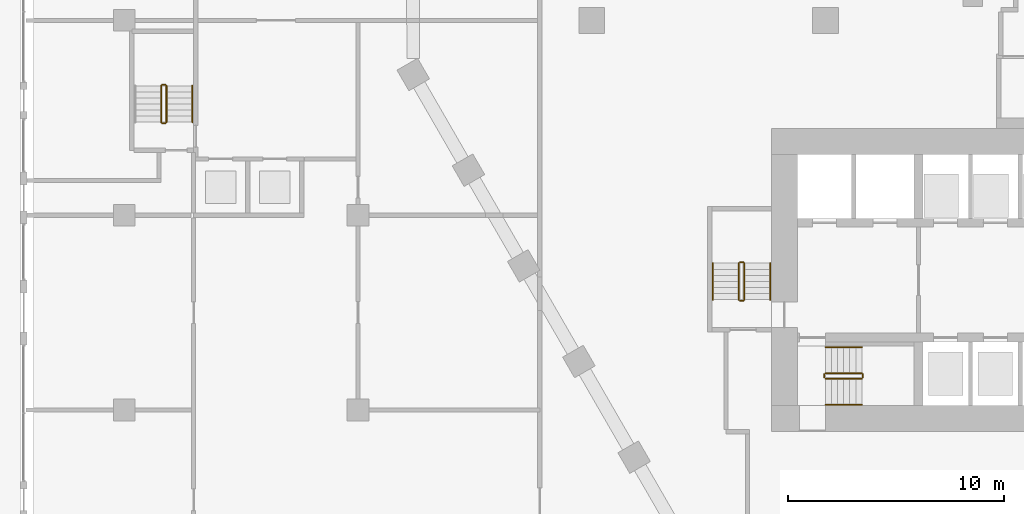
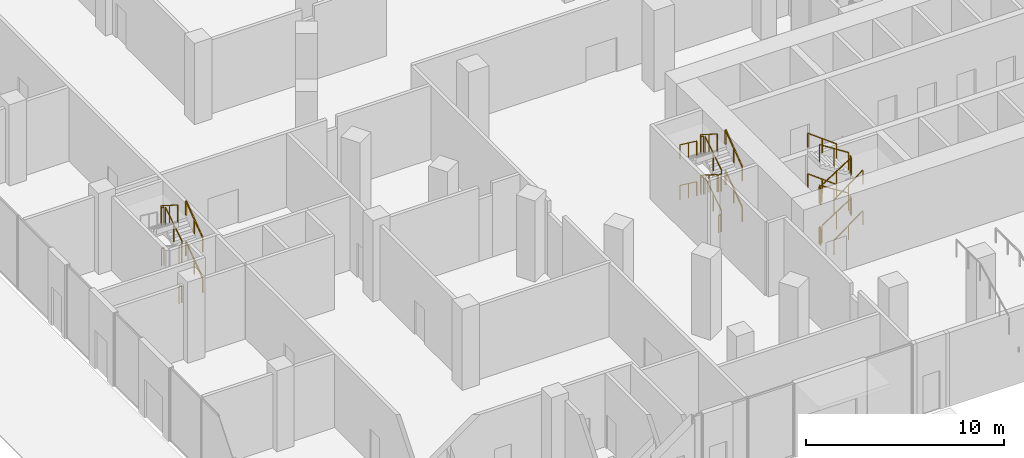
# One storey, part 50 of 57: 32 railings.
"""IFC4 building model written with IfcOpenShell, lengths in metres."""

from ifc_helpers import new_model, si_unit, direction, frame, origin, origin_2d, place, context, subcontext, project, spatial, rectangle, extrude, material, type_object, element, save


model = new_model("IFC4")

# Units and contexts
model_context = context("Model", 3, precision=1e-05, world=origin(), true_north=direction((0.0, 1.0)))
body_context = subcontext(model_context, "Body", "Model", "MODEL_VIEW")
ifc_project = project(units=[si_unit("LENGTHUNIT", "METRE"), si_unit("AREAUNIT", "SQUARE_METRE"), si_unit("VOLUMEUNIT", "CUBIC_METRE"), si_unit("PLANEANGLEUNIT", "RADIAN"), si_unit("MASSUNIT", "GRAM", prefix="KILO")], contexts=[model_context])

# Site, building, storey
site_placement = place(None, origin())
site = spatial("IfcSite", under=ifc_project, at=site_placement, CompositionType="ELEMENT")
building_placement = place(site_placement, origin())
building = spatial("IfcBuilding", under=site, at=building_placement, Name="Beryl Residences", CompositionType="ELEMENT")
storey_placement = place(building_placement, origin())
storey = spatial("IfcBuildingStorey", under=building, at=storey_placement, Name="L00", CompositionType="ELEMENT", Elevation=0.0)

# Railings
ifc_material_1 = material(Name="Stainless steel balustrade with glass infill", Category="steel")
railing_type_1 = type_object("IfcRailingType", Name="SG1 stair guard 1100 mm", PredefinedType="GUARDRAIL", material=ifc_material_1)
for number, where, name in (
    (1, (-41.300048828125, -2.969970703125, 1.25), "L00 PS-6 stair guard 2"),
    (2, (-41.300048828125, -4.75, 2.5), "L00 PS-6 stair guard 4"),
):
    element("IfcRailing", number, at=place(storey_placement, frame(where)), inside=storey, type_object=railing_type_1, Name=name, PredefinedType="GUARDRAIL", context=body_context, shape_type="SweptSolid", body=[
        extrude(rectangle(XDim=0.048095703125, YDim=0.048095703125, at=origin_2d()), frame((0.0, 0.0, 1.076171875), z_axis=(-1.0, 0.0, 0.0), x_axis=(0.0, -1.0, 0.0)), (0.0, 0.0, 1.0), 0.14990234375),
        extrude(rectangle(XDim=0.0419921875, YDim=0.0419921875, at=origin_2d()), origin(), (0.0, 0.0, 1.0), 1.052001953125),
        extrude(rectangle(XDim=0.0419921875, YDim=0.0419921875, at=origin_2d()), frame((-0.14990234375, 0.0, 0.0)), (0.0, 0.0, 1.0), 1.052001953125),
    ])
railing_1_placement = place(storey_placement, frame((-41.25, -4.699951171875, 2.678466796875)))
element("IfcRailing", 3, at=railing_1_placement, inside=storey, type_object=railing_type_1, Name="L00 PS-6 stair guard 5", PredefinedType="GUARDRAIL", context=body_context, shape_type="SweptSolid", body=[
    extrude(rectangle(XDim=0.048095703125, YDim=0.048095703125, at=origin_2d()), frame((0.0, 0.0, 1.076171875), z_axis=(0.0, 0.843095963019, 0.537763142231), x_axis=(-1.0, 0.0, 0.0)), (0.0, 0.0, 1.0), 1.99267578125),
    extrude(rectangle(XDim=0.0419921875, YDim=0.0419921875, at=origin_2d()), origin(), (0.0, 0.0, 1.0), 1.052001953125),
    extrude(rectangle(XDim=0.0419921875, YDim=0.0419921875, at=origin_2d()), frame((0.0, 0.83984375, 0.53564453125)), (0.0, 0.0, 1.0), 1.052001953125),
    extrude(rectangle(XDim=0.0419921875, YDim=0.0419921875, at=origin_2d()), frame((0.0, 1.679931640625, 1.071533203125)), (0.0, 0.0, 1.0), 1.052001953125),
])
railing_2_placement = place(storey_placement, frame((-41.300048828125, -2.969970703125, 3.75)))
element("IfcRailing", 4, at=railing_2_placement, inside=storey, type_object=railing_type_1, Name="L00 PS-6 stair guard 6", PredefinedType="GUARDRAIL", context=body_context, shape_type="SweptSolid", body=[
    extrude(rectangle(XDim=0.048095703125, YDim=0.048095703125, at=origin_2d()), frame((0.0, 0.0, 1.076171875), z_axis=(-1.0, 0.0, 0.0), x_axis=(0.0, -1.0, 0.0)), (0.0, 0.0, 1.0), 0.14990234375),
    extrude(rectangle(XDim=0.0419921875, YDim=0.0419921875, at=origin_2d()), origin(), (0.0, 0.0, 1.0), 1.052001953125),
    extrude(rectangle(XDim=0.0419921875, YDim=0.0419921875, at=origin_2d()), frame((-0.14990234375, 0.0, 0.0)), (0.0, 0.0, 1.0), 1.052001953125),
])
railing_3_placement = place(storey_placement, frame((-41.5, -3.02001953125, 3.928466796875)))
element("IfcRailing", 5, at=railing_3_placement, inside=storey, type_object=railing_type_1, Name="L00 PS-6 stair guard 7", PredefinedType="GUARDRAIL", context=body_context, shape_type="SweptSolid", body=[
    extrude(rectangle(XDim=0.048095703125, YDim=0.048095703125, at=origin_2d()), frame((0.0, 0.0, 1.076171875), z_axis=(0.0, -0.843095963019, 0.537763142231), x_axis=(1.0, 0.0, 0.0)), (0.0, 0.0, 1.0), 1.99267578125),
    extrude(rectangle(XDim=0.0419921875, YDim=0.0419921875, at=origin_2d()), origin(), (0.0, 0.0, 1.0), 1.052001953125),
    extrude(rectangle(XDim=0.0419921875, YDim=0.0419921875, at=origin_2d()), frame((0.0, -0.83984375, 0.53564453125)), (0.0, 0.0, 1.0), 1.052001953125),
    extrude(rectangle(XDim=0.0419921875, YDim=0.0419921875, at=origin_2d()), frame((0.0, -1.679931640625, 1.071533203125)), (0.0, 0.0, 1.0), 1.052001953125),
])
railing_4_placement = place(storey_placement, frame((-41.300048828125, -4.75, 0.0)))
element("IfcRailing", 6, at=railing_4_placement, inside=storey, type_object=railing_type_1, Name="L00 PS-6 stair guard 8", PredefinedType="GUARDRAIL", context=body_context, shape_type="SweptSolid", body=[
    extrude(rectangle(XDim=0.048095703125, YDim=0.048095703125, at=origin_2d()), frame((0.0, 0.0, 1.076171875), z_axis=(-1.0, 0.0, 0.0), x_axis=(0.0, -1.0, 0.0)), (0.0, 0.0, 1.0), 0.14990234375),
    extrude(rectangle(XDim=0.0419921875, YDim=0.0419921875, at=origin_2d()), origin(), (0.0, 0.0, 1.0), 1.052001953125),
    extrude(rectangle(XDim=0.0419921875, YDim=0.0419921875, at=origin_2d()), frame((-0.14990234375, 0.0, 0.0)), (0.0, 0.0, 1.0), 1.052001953125),
])
railing_5_placement = place(storey_placement, frame((-10.800048828125, -16.550048828125, 0.178466796875)))
element("IfcRailing", 7, at=railing_5_placement, inside=storey, type_object=railing_type_1, Name="L00 ST-1 stair guard 1", PredefinedType="GUARDRAIL", context=body_context, shape_type="SweptSolid", body=[
    extrude(rectangle(XDim=0.048095703125, YDim=0.048095703125, at=origin_2d()), frame((0.0, 0.0, 1.076171875), z_axis=(0.843095963019, 0.0, 0.537763142231), x_axis=(0.0, 1.0, 0.0)), (0.0, 0.0, 1.0), 1.99267578125),
    extrude(rectangle(XDim=0.0419921875, YDim=0.0419921875, at=origin_2d()), origin(), (0.0, 0.0, 1.0), 1.052001953125),
    extrude(rectangle(XDim=0.0419921875, YDim=0.0419921875, at=origin_2d()), frame((0.83984375, 0.0, 0.53564453125)), (0.0, 0.0, 1.0), 1.052001953125),
    extrude(rectangle(XDim=0.0419921875, YDim=0.0419921875, at=origin_2d()), frame((1.679931640625, 0.0, 1.071533203125)), (0.0, 0.0, 1.0), 1.052001953125),
])
railing_6_placement = place(storey_placement, frame((-9.070068359375, -16.5, 1.25)))
element("IfcRailing", 8, at=railing_6_placement, inside=storey, type_object=railing_type_1, Name="L00 ST-1 stair guard 2", PredefinedType="GUARDRAIL", context=body_context, shape_type="SweptSolid", body=[
    extrude(rectangle(XDim=0.048095703125, YDim=0.048095703125, at=origin_2d()), frame((0.0, 0.0, 1.076171875), z_axis=(0.0, 1.0, 0.0), x_axis=(-1.0, 0.0, 0.0)), (0.0, 0.0, 1.0), 0.14990234375),
    extrude(rectangle(XDim=0.0419921875, YDim=0.0419921875, at=origin_2d()), origin(), (0.0, 0.0, 1.0), 1.052001953125),
    extrude(rectangle(XDim=0.0419921875, YDim=0.0419921875, at=origin_2d()), frame((0.0, 0.14990234375, 0.0)), (0.0, 0.0, 1.0), 1.052001953125),
])
railing_7_placement = place(storey_placement, frame((-9.1201171875, -16.300048828125, 1.428466796875)))
element("IfcRailing", 9, at=railing_7_placement, inside=storey, type_object=railing_type_1, Name="L00 ST-1 stair guard 3", PredefinedType="GUARDRAIL", context=body_context, shape_type="SweptSolid", body=[
    extrude(rectangle(XDim=0.048095703125, YDim=0.048095703125, at=origin_2d()), frame((0.0, 0.0, 1.076171875), z_axis=(-0.843095963019, 0.0, 0.537763142231), x_axis=(0.0, -1.0, 0.0)), (0.0, 0.0, 1.0), 1.99267578125),
    extrude(rectangle(XDim=0.0419921875, YDim=0.0419921875, at=origin_2d()), origin(), (0.0, 0.0, 1.0), 1.052001953125),
    extrude(rectangle(XDim=0.0419921875, YDim=0.0419921875, at=origin_2d()), frame((-0.83984375, 0.0, 0.53564453125)), (0.0, 0.0, 1.0), 1.052001953125),
    extrude(rectangle(XDim=0.0419921875, YDim=0.0419921875, at=origin_2d()), frame((-1.679931640625, 0.0, 1.071533203125)), (0.0, 0.0, 1.0), 1.052001953125),
])
railing_8_placement = place(storey_placement, frame((-10.85009765625, -16.5, 2.5)))
element("IfcRailing", 10, at=railing_8_placement, inside=storey, type_object=railing_type_1, Name="L00 ST-1 stair guard 4", PredefinedType="GUARDRAIL", context=body_context, shape_type="SweptSolid", body=[
    extrude(rectangle(XDim=0.048095703125, YDim=0.048095703125, at=origin_2d()), frame((0.0, 0.0, 1.076171875), z_axis=(0.0, 1.0, 0.0), x_axis=(-1.0, 0.0, 0.0)), (0.0, 0.0, 1.0), 0.14990234375),
    extrude(rectangle(XDim=0.0419921875, YDim=0.0419921875, at=origin_2d()), origin(), (0.0, 0.0, 1.0), 1.052001953125),
    extrude(rectangle(XDim=0.0419921875, YDim=0.0419921875, at=origin_2d()), frame((0.0, 0.14990234375, 0.0)), (0.0, 0.0, 1.0), 1.052001953125),
])
railing_9_placement = place(storey_placement, frame((-10.800048828125, -16.550048828125, 2.678466796875)))
element("IfcRailing", 11, at=railing_9_placement, inside=storey, type_object=railing_type_1, Name="L00 ST-1 stair guard 5", PredefinedType="GUARDRAIL", context=body_context, shape_type="SweptSolid", body=[
    extrude(rectangle(XDim=0.048095703125, YDim=0.048095703125, at=origin_2d()), frame((0.0, 0.0, 1.076171875), z_axis=(0.843095963019, 0.0, 0.537763142231), x_axis=(0.0, 1.0, 0.0)), (0.0, 0.0, 1.0), 1.99267578125),
    extrude(rectangle(XDim=0.0419921875, YDim=0.0419921875, at=origin_2d()), origin(), (0.0, 0.0, 1.0), 1.052001953125),
    extrude(rectangle(XDim=0.0419921875, YDim=0.0419921875, at=origin_2d()), frame((0.83984375, 0.0, 0.53564453125)), (0.0, 0.0, 1.0), 1.052001953125),
    extrude(rectangle(XDim=0.0419921875, YDim=0.0419921875, at=origin_2d()), frame((1.679931640625, 0.0, 1.071533203125)), (0.0, 0.0, 1.0), 1.052001953125),
])
railing_10_placement = place(storey_placement, frame((-9.070068359375, -16.5, 3.75)))
element("IfcRailing", 12, at=railing_10_placement, inside=storey, type_object=railing_type_1, Name="L00 ST-1 stair guard 6", PredefinedType="GUARDRAIL", context=body_context, shape_type="SweptSolid", body=[
    extrude(rectangle(XDim=0.048095703125, YDim=0.048095703125, at=origin_2d()), frame((0.0, 0.0, 1.076171875), z_axis=(0.0, 1.0, 0.0), x_axis=(-1.0, 0.0, 0.0)), (0.0, 0.0, 1.0), 0.14990234375),
    extrude(rectangle(XDim=0.0419921875, YDim=0.0419921875, at=origin_2d()), origin(), (0.0, 0.0, 1.0), 1.052001953125),
    extrude(rectangle(XDim=0.0419921875, YDim=0.0419921875, at=origin_2d()), frame((0.0, 0.14990234375, 0.0)), (0.0, 0.0, 1.0), 1.052001953125),
])
railing_11_placement = place(storey_placement, frame((-9.1201171875, -16.300048828125, 3.928466796875)))
element("IfcRailing", 13, at=railing_11_placement, inside=storey, type_object=railing_type_1, Name="L00 ST-1 stair guard 7", PredefinedType="GUARDRAIL", context=body_context, shape_type="SweptSolid", body=[
    extrude(rectangle(XDim=0.048095703125, YDim=0.048095703125, at=origin_2d()), frame((0.0, 0.0, 1.076171875), z_axis=(-0.843095963019, 0.0, 0.537763142231), x_axis=(0.0, -1.0, 0.0)), (0.0, 0.0, 1.0), 1.99267578125),
    extrude(rectangle(XDim=0.0419921875, YDim=0.0419921875, at=origin_2d()), origin(), (0.0, 0.0, 1.0), 1.052001953125),
    extrude(rectangle(XDim=0.0419921875, YDim=0.0419921875, at=origin_2d()), frame((-0.83984375, 0.0, 0.53564453125)), (0.0, 0.0, 1.0), 1.052001953125),
    extrude(rectangle(XDim=0.0419921875, YDim=0.0419921875, at=origin_2d()), frame((-1.679931640625, 0.0, 1.071533203125)), (0.0, 0.0, 1.0), 1.052001953125),
])
railing_12_placement = place(storey_placement, frame((-10.85009765625, -16.5, 0.0)))
element("IfcRailing", 14, at=railing_12_placement, inside=storey, type_object=railing_type_1, Name="L00 ST-1 stair guard 8", PredefinedType="GUARDRAIL", context=body_context, shape_type="SweptSolid", body=[
    extrude(rectangle(XDim=0.048095703125, YDim=0.048095703125, at=origin_2d()), frame((0.0, 0.0, 1.076171875), z_axis=(0.0, 1.0, 0.0), x_axis=(-1.0, 0.0, 0.0)), (0.0, 0.0, 1.0), 0.14990234375),
    extrude(rectangle(XDim=0.0419921875, YDim=0.0419921875, at=origin_2d()), origin(), (0.0, 0.0, 1.0), 1.052001953125),
    extrude(rectangle(XDim=0.0419921875, YDim=0.0419921875, at=origin_2d()), frame((0.0, 0.14990234375, 0.0)), (0.0, 0.0, 1.0), 1.052001953125),
])
railing_13_placement = place(storey_placement, frame((-14.550048828125, -12.89990234375, 0.178466796875)))
element("IfcRailing", 15, at=railing_13_placement, inside=storey, type_object=railing_type_1, Name="L00 ST-2 stair guard 1", PredefinedType="GUARDRAIL", context=body_context, shape_type="SweptSolid", body=[
    extrude(rectangle(XDim=0.048095703125, YDim=0.048095703125, at=origin_2d()), frame((0.0, 0.0, 1.076171875), z_axis=(0.0, 0.843095963019, 0.537763142231), x_axis=(-1.0, 0.0, 0.0)), (0.0, 0.0, 1.0), 1.99267578125),
    extrude(rectangle(XDim=0.0419921875, YDim=0.0419921875, at=origin_2d()), origin(), (0.0, 0.0, 1.0), 1.052001953125),
    extrude(rectangle(XDim=0.0419921875, YDim=0.0419921875, at=origin_2d()), frame((0.0, 0.83984375, 0.53564453125)), (0.0, 0.0, 1.0), 1.052001953125),
    extrude(rectangle(XDim=0.0419921875, YDim=0.0419921875, at=origin_2d()), frame((0.0, 1.679931640625, 1.071533203125)), (0.0, 0.0, 1.0), 1.052001953125),
])
railing_14_placement = place(storey_placement, frame((-14.60009765625, -11.169921875, 1.25)))
element("IfcRailing", 16, at=railing_14_placement, inside=storey, type_object=railing_type_1, Name="L00 ST-2 stair guard 2", PredefinedType="GUARDRAIL", context=body_context, shape_type="SweptSolid", body=[
    extrude(rectangle(XDim=0.048095703125, YDim=0.048095703125, at=origin_2d()), frame((0.0, 0.0, 1.076171875), z_axis=(-1.0, 0.0, 0.0), x_axis=(0.0, -1.0, 0.0)), (0.0, 0.0, 1.0), 0.14990234375),
    extrude(rectangle(XDim=0.0419921875, YDim=0.0419921875, at=origin_2d()), origin(), (0.0, 0.0, 1.0), 1.052001953125),
    extrude(rectangle(XDim=0.0419921875, YDim=0.0419921875, at=origin_2d()), frame((-0.14990234375, 0.0, 0.0)), (0.0, 0.0, 1.0), 1.052001953125),
])
railing_15_placement = place(storey_placement, frame((-14.800048828125, -11.219970703125, 1.428466796875)))
element("IfcRailing", 17, at=railing_15_placement, inside=storey, type_object=railing_type_1, Name="L00 ST-2 stair guard 3", PredefinedType="GUARDRAIL", context=body_context, shape_type="SweptSolid", body=[
    extrude(rectangle(XDim=0.048095703125, YDim=0.048095703125, at=origin_2d()), frame((0.0, 0.0, 1.076171875), z_axis=(0.0, -0.843095963019, 0.537763142231), x_axis=(1.0, 0.0, 0.0)), (0.0, 0.0, 1.0), 1.99267578125),
    extrude(rectangle(XDim=0.0419921875, YDim=0.0419921875, at=origin_2d()), origin(), (0.0, 0.0, 1.0), 1.052001953125),
    extrude(rectangle(XDim=0.0419921875, YDim=0.0419921875, at=origin_2d()), frame((0.0, -0.83984375, 0.53564453125)), (0.0, 0.0, 1.0), 1.052001953125),
    extrude(rectangle(XDim=0.0419921875, YDim=0.0419921875, at=origin_2d()), frame((0.0, -1.679931640625, 1.071533203125)), (0.0, 0.0, 1.0), 1.052001953125),
])
railing_16_placement = place(storey_placement, frame((-14.60009765625, -12.949951171875, 2.5)))
element("IfcRailing", 18, at=railing_16_placement, inside=storey, type_object=railing_type_1, Name="L00 ST-2 stair guard 4", PredefinedType="GUARDRAIL", context=body_context, shape_type="SweptSolid", body=[
    extrude(rectangle(XDim=0.048095703125, YDim=0.048095703125, at=origin_2d()), frame((0.0, 0.0, 1.076171875), z_axis=(-1.0, 0.0, 0.0), x_axis=(0.0, -1.0, 0.0)), (0.0, 0.0, 1.0), 0.14990234375),
    extrude(rectangle(XDim=0.0419921875, YDim=0.0419921875, at=origin_2d()), origin(), (0.0, 0.0, 1.0), 1.052001953125),
    extrude(rectangle(XDim=0.0419921875, YDim=0.0419921875, at=origin_2d()), frame((-0.14990234375, 0.0, 0.0)), (0.0, 0.0, 1.0), 1.052001953125),
])
railing_17_placement = place(storey_placement, frame((-14.550048828125, -12.89990234375, 2.678466796875)))
element("IfcRailing", 19, at=railing_17_placement, inside=storey, type_object=railing_type_1, Name="L00 ST-2 stair guard 5", PredefinedType="GUARDRAIL", context=body_context, shape_type="SweptSolid", body=[
    extrude(rectangle(XDim=0.048095703125, YDim=0.048095703125, at=origin_2d()), frame((0.0, 0.0, 1.076171875), z_axis=(0.0, 0.843095963019, 0.537763142231), x_axis=(-1.0, 0.0, 0.0)), (0.0, 0.0, 1.0), 1.99267578125),
    extrude(rectangle(XDim=0.0419921875, YDim=0.0419921875, at=origin_2d()), origin(), (0.0, 0.0, 1.0), 1.052001953125),
    extrude(rectangle(XDim=0.0419921875, YDim=0.0419921875, at=origin_2d()), frame((0.0, 0.83984375, 0.53564453125)), (0.0, 0.0, 1.0), 1.052001953125),
    extrude(rectangle(XDim=0.0419921875, YDim=0.0419921875, at=origin_2d()), frame((0.0, 1.679931640625, 1.071533203125)), (0.0, 0.0, 1.0), 1.052001953125),
])
railing_18_placement = place(storey_placement, frame((-14.60009765625, -11.169921875, 3.75)))
element("IfcRailing", 20, at=railing_18_placement, inside=storey, type_object=railing_type_1, Name="L00 ST-2 stair guard 6", PredefinedType="GUARDRAIL", context=body_context, shape_type="SweptSolid", body=[
    extrude(rectangle(XDim=0.048095703125, YDim=0.048095703125, at=origin_2d()), frame((0.0, 0.0, 1.076171875), z_axis=(-1.0, 0.0, 0.0), x_axis=(0.0, -1.0, 0.0)), (0.0, 0.0, 1.0), 0.14990234375),
    extrude(rectangle(XDim=0.0419921875, YDim=0.0419921875, at=origin_2d()), origin(), (0.0, 0.0, 1.0), 1.052001953125),
    extrude(rectangle(XDim=0.0419921875, YDim=0.0419921875, at=origin_2d()), frame((-0.14990234375, 0.0, 0.0)), (0.0, 0.0, 1.0), 1.052001953125),
])
railing_19_placement = place(storey_placement, frame((-14.800048828125, -11.219970703125, 3.928466796875)))
element("IfcRailing", 21, at=railing_19_placement, inside=storey, type_object=railing_type_1, Name="L00 ST-2 stair guard 7", PredefinedType="GUARDRAIL", context=body_context, shape_type="SweptSolid", body=[
    extrude(rectangle(XDim=0.048095703125, YDim=0.048095703125, at=origin_2d()), frame((0.0, 0.0, 1.076171875), z_axis=(0.0, -0.843095963019, 0.537763142231), x_axis=(1.0, 0.0, 0.0)), (0.0, 0.0, 1.0), 1.99267578125),
    extrude(rectangle(XDim=0.0419921875, YDim=0.0419921875, at=origin_2d()), origin(), (0.0, 0.0, 1.0), 1.052001953125),
    extrude(rectangle(XDim=0.0419921875, YDim=0.0419921875, at=origin_2d()), frame((0.0, -0.83984375, 0.53564453125)), (0.0, 0.0, 1.0), 1.052001953125),
    extrude(rectangle(XDim=0.0419921875, YDim=0.0419921875, at=origin_2d()), frame((0.0, -1.679931640625, 1.071533203125)), (0.0, 0.0, 1.0), 1.052001953125),
])
railing_20_placement = place(storey_placement, frame((-14.60009765625, -12.949951171875, 0.0)))
element("IfcRailing", 22, at=railing_20_placement, inside=storey, type_object=railing_type_1, Name="L00 ST-2 stair guard 8", PredefinedType="GUARDRAIL", context=body_context, shape_type="SweptSolid", body=[
    extrude(rectangle(XDim=0.048095703125, YDim=0.048095703125, at=origin_2d()), frame((0.0, 0.0, 1.076171875), z_axis=(-1.0, 0.0, 0.0), x_axis=(0.0, -1.0, 0.0)), (0.0, 0.0, 1.0), 0.14990234375),
    extrude(rectangle(XDim=0.0419921875, YDim=0.0419921875, at=origin_2d()), origin(), (0.0, 0.0, 1.0), 1.052001953125),
    extrude(rectangle(XDim=0.0419921875, YDim=0.0419921875, at=origin_2d()), frame((-0.14990234375, 0.0, 0.0)), (0.0, 0.0, 1.0), 1.052001953125),
])
ifc_material_2 = material(Name="Stainless steel handrail", Category="steel")
railing_type_2 = type_object("IfcRailingType", Name="SRL1 stair handrail 900 mm", PredefinedType="HANDRAIL", material=ifc_material_2)
for number, where, name in (
    (23, (-40.050048828125, -4.699951171875, 0.178466796875), "L00 PS-6 stair handrail 1"),
    (24, (-40.050048828125, -4.699951171875, 2.678466796875), "L00 PS-6 stair handrail 3"),
):
    element("IfcRailing", number, at=place(storey_placement, frame(where)), inside=storey, type_object=railing_type_2, Name=name, PredefinedType="HANDRAIL", context=body_context, shape_type="SweptSolid", body=[
        extrude(rectangle(XDim=0.048095703125, YDim=0.048095703125, at=origin_2d()), frame((0.0, 0.0, 0.8759765625), z_axis=(0.0, 0.802274775538, 0.59695492672), x_axis=(-1.0, 0.0, 0.0)), (0.0, 0.0, 1.0), 2.093994140625),
        extrude(rectangle(XDim=0.0419921875, YDim=0.0419921875, at=origin_2d()), origin(), (0.0, 0.0, 1.0), 0.851806640625),
        extrude(rectangle(XDim=0.0419921875, YDim=0.0419921875, at=origin_2d()), frame((0.0, 0.83984375, 0.625)), (0.0, 0.0, 1.0), 0.851806640625),
        extrude(rectangle(XDim=0.0419921875, YDim=0.0419921875, at=origin_2d()), frame((0.0, 1.679931640625, 1.25)), (0.0, 0.0, 1.0), 0.851806640625),
    ])
railing_21_placement = place(storey_placement, frame((-10.800048828125, -17.75, 0.178466796875)))
element("IfcRailing", 25, at=railing_21_placement, inside=storey, type_object=railing_type_2, Name="L00 ST-1 stair handrail 1", PredefinedType="HANDRAIL", context=body_context, shape_type="SweptSolid", body=[
    extrude(rectangle(XDim=0.048095703125, YDim=0.048095703125, at=origin_2d()), frame((0.0, 0.0, 0.8759765625), z_axis=(0.802274775538, 0.0, 0.59695492672), x_axis=(0.0, 1.0, 0.0)), (0.0, 0.0, 1.0), 2.093994140625),
    extrude(rectangle(XDim=0.0419921875, YDim=0.0419921875, at=origin_2d()), origin(), (0.0, 0.0, 1.0), 0.851806640625),
    extrude(rectangle(XDim=0.0419921875, YDim=0.0419921875, at=origin_2d()), frame((0.83984375, 0.0, 0.625)), (0.0, 0.0, 1.0), 0.851806640625),
    extrude(rectangle(XDim=0.0419921875, YDim=0.0419921875, at=origin_2d()), frame((1.679931640625, 0.0, 1.25)), (0.0, 0.0, 1.0), 0.851806640625),
])
railing_22_placement = place(storey_placement, frame((-9.1201171875, -15.10009765625, 1.428466796875)))
element("IfcRailing", 26, at=railing_22_placement, inside=storey, type_object=railing_type_2, Name="L00 ST-1 stair handrail 2", PredefinedType="HANDRAIL", context=body_context, shape_type="SweptSolid", body=[
    extrude(rectangle(XDim=0.048095703125, YDim=0.048095703125, at=origin_2d()), frame((0.0, 0.0, 0.8759765625), z_axis=(-0.802274775538, 0.0, 0.59695492672), x_axis=(0.0, -1.0, 0.0)), (0.0, 0.0, 1.0), 2.093994140625),
    extrude(rectangle(XDim=0.0419921875, YDim=0.0419921875, at=origin_2d()), origin(), (0.0, 0.0, 1.0), 0.851806640625),
    extrude(rectangle(XDim=0.0419921875, YDim=0.0419921875, at=origin_2d()), frame((-0.83984375, 0.0, 0.625)), (0.0, 0.0, 1.0), 0.851806640625),
    extrude(rectangle(XDim=0.0419921875, YDim=0.0419921875, at=origin_2d()), frame((-1.679931640625, 0.0, 1.25)), (0.0, 0.0, 1.0), 0.851806640625),
])
railing_23_placement = place(storey_placement, frame((-10.800048828125, -17.75, 2.678466796875)))
element("IfcRailing", 27, at=railing_23_placement, inside=storey, type_object=railing_type_2, Name="L00 ST-1 stair handrail 3", PredefinedType="HANDRAIL", context=body_context, shape_type="SweptSolid", body=[
    extrude(rectangle(XDim=0.048095703125, YDim=0.048095703125, at=origin_2d()), frame((0.0, 0.0, 0.8759765625), z_axis=(0.802274775538, 0.0, 0.59695492672), x_axis=(0.0, 1.0, 0.0)), (0.0, 0.0, 1.0), 2.093994140625),
    extrude(rectangle(XDim=0.0419921875, YDim=0.0419921875, at=origin_2d()), origin(), (0.0, 0.0, 1.0), 0.851806640625),
    extrude(rectangle(XDim=0.0419921875, YDim=0.0419921875, at=origin_2d()), frame((0.83984375, 0.0, 0.625)), (0.0, 0.0, 1.0), 0.851806640625),
    extrude(rectangle(XDim=0.0419921875, YDim=0.0419921875, at=origin_2d()), frame((1.679931640625, 0.0, 1.25)), (0.0, 0.0, 1.0), 0.851806640625),
])
railing_24_placement = place(storey_placement, frame((-9.1201171875, -15.10009765625, 3.928466796875)))
element("IfcRailing", 28, at=railing_24_placement, inside=storey, type_object=railing_type_2, Name="L00 ST-1 stair handrail 4", PredefinedType="HANDRAIL", context=body_context, shape_type="SweptSolid", body=[
    extrude(rectangle(XDim=0.048095703125, YDim=0.048095703125, at=origin_2d()), frame((0.0, 0.0, 0.8759765625), z_axis=(-0.802274775538, 0.0, 0.59695492672), x_axis=(0.0, -1.0, 0.0)), (0.0, 0.0, 1.0), 2.093994140625),
    extrude(rectangle(XDim=0.0419921875, YDim=0.0419921875, at=origin_2d()), origin(), (0.0, 0.0, 1.0), 0.851806640625),
    extrude(rectangle(XDim=0.0419921875, YDim=0.0419921875, at=origin_2d()), frame((-0.83984375, 0.0, 0.625)), (0.0, 0.0, 1.0), 0.851806640625),
    extrude(rectangle(XDim=0.0419921875, YDim=0.0419921875, at=origin_2d()), frame((-1.679931640625, 0.0, 1.25)), (0.0, 0.0, 1.0), 0.851806640625),
])
railing_25_placement = place(storey_placement, frame((-13.35009765625, -12.89990234375, 0.178466796875)))
element("IfcRailing", 29, at=railing_25_placement, inside=storey, type_object=railing_type_2, Name="L00 ST-2 stair handrail 1", PredefinedType="HANDRAIL", context=body_context, shape_type="SweptSolid", body=[
    extrude(rectangle(XDim=0.048095703125, YDim=0.048095703125, at=origin_2d()), frame((0.0, 0.0, 0.8759765625), z_axis=(0.0, 0.802274775538, 0.59695492672), x_axis=(-1.0, 0.0, 0.0)), (0.0, 0.0, 1.0), 2.093994140625),
    extrude(rectangle(XDim=0.0419921875, YDim=0.0419921875, at=origin_2d()), origin(), (0.0, 0.0, 1.0), 0.851806640625),
    extrude(rectangle(XDim=0.0419921875, YDim=0.0419921875, at=origin_2d()), frame((0.0, 0.83984375, 0.625)), (0.0, 0.0, 1.0), 0.851806640625),
    extrude(rectangle(XDim=0.0419921875, YDim=0.0419921875, at=origin_2d()), frame((0.0, 1.679931640625, 1.25)), (0.0, 0.0, 1.0), 0.851806640625),
])
railing_26_placement = place(storey_placement, frame((-16.0, -11.219970703125, 1.428466796875)))
element("IfcRailing", 30, at=railing_26_placement, inside=storey, type_object=railing_type_2, Name="L00 ST-2 stair handrail 2", PredefinedType="HANDRAIL", context=body_context, shape_type="SweptSolid", body=[
    extrude(rectangle(XDim=0.048095703125, YDim=0.048095703125, at=origin_2d()), frame((0.0, 0.0, 0.8759765625), z_axis=(0.0, -0.802274775538, 0.59695492672), x_axis=(1.0, 0.0, 0.0)), (0.0, 0.0, 1.0), 2.093994140625),
    extrude(rectangle(XDim=0.0419921875, YDim=0.0419921875, at=origin_2d()), origin(), (0.0, 0.0, 1.0), 0.851806640625),
    extrude(rectangle(XDim=0.0419921875, YDim=0.0419921875, at=origin_2d()), frame((0.0, -0.83984375, 0.625)), (0.0, 0.0, 1.0), 0.851806640625),
    extrude(rectangle(XDim=0.0419921875, YDim=0.0419921875, at=origin_2d()), frame((0.0, -1.679931640625, 1.25)), (0.0, 0.0, 1.0), 0.851806640625),
])
railing_27_placement = place(storey_placement, frame((-13.35009765625, -12.89990234375, 2.678466796875)))
element("IfcRailing", 31, at=railing_27_placement, inside=storey, type_object=railing_type_2, Name="L00 ST-2 stair handrail 3", PredefinedType="HANDRAIL", context=body_context, shape_type="SweptSolid", body=[
    extrude(rectangle(XDim=0.048095703125, YDim=0.048095703125, at=origin_2d()), frame((0.0, 0.0, 0.8759765625), z_axis=(0.0, 0.802274775538, 0.59695492672), x_axis=(-1.0, 0.0, 0.0)), (0.0, 0.0, 1.0), 2.093994140625),
    extrude(rectangle(XDim=0.0419921875, YDim=0.0419921875, at=origin_2d()), origin(), (0.0, 0.0, 1.0), 0.851806640625),
    extrude(rectangle(XDim=0.0419921875, YDim=0.0419921875, at=origin_2d()), frame((0.0, 0.83984375, 0.625)), (0.0, 0.0, 1.0), 0.851806640625),
    extrude(rectangle(XDim=0.0419921875, YDim=0.0419921875, at=origin_2d()), frame((0.0, 1.679931640625, 1.25)), (0.0, 0.0, 1.0), 0.851806640625),
])
railing_28_placement = place(storey_placement, frame((-16.0, -11.219970703125, 3.928466796875)))
element("IfcRailing", 32, at=railing_28_placement, inside=storey, type_object=railing_type_2, Name="L00 ST-2 stair handrail 4", PredefinedType="HANDRAIL", context=body_context, shape_type="SweptSolid", body=[
    extrude(rectangle(XDim=0.048095703125, YDim=0.048095703125, at=origin_2d()), frame((0.0, 0.0, 0.8759765625), z_axis=(0.0, -0.802274775538, 0.59695492672), x_axis=(1.0, 0.0, 0.0)), (0.0, 0.0, 1.0), 2.093994140625),
    extrude(rectangle(XDim=0.0419921875, YDim=0.0419921875, at=origin_2d()), origin(), (0.0, 0.0, 1.0), 0.851806640625),
    extrude(rectangle(XDim=0.0419921875, YDim=0.0419921875, at=origin_2d()), frame((0.0, -0.83984375, 0.625)), (0.0, 0.0, 1.0), 0.851806640625),
    extrude(rectangle(XDim=0.0419921875, YDim=0.0419921875, at=origin_2d()), frame((0.0, -1.679931640625, 1.25)), (0.0, 0.0, 1.0), 0.851806640625),
])

save(model, "model.ifc")
